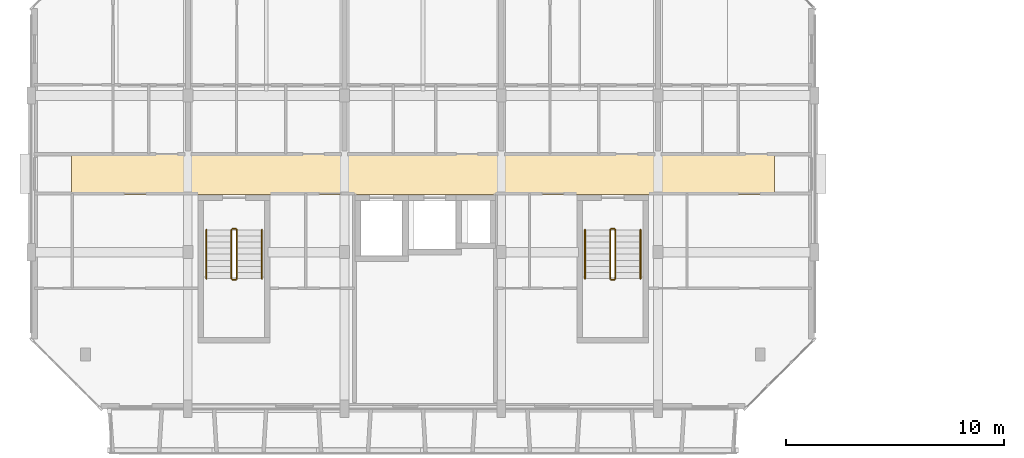
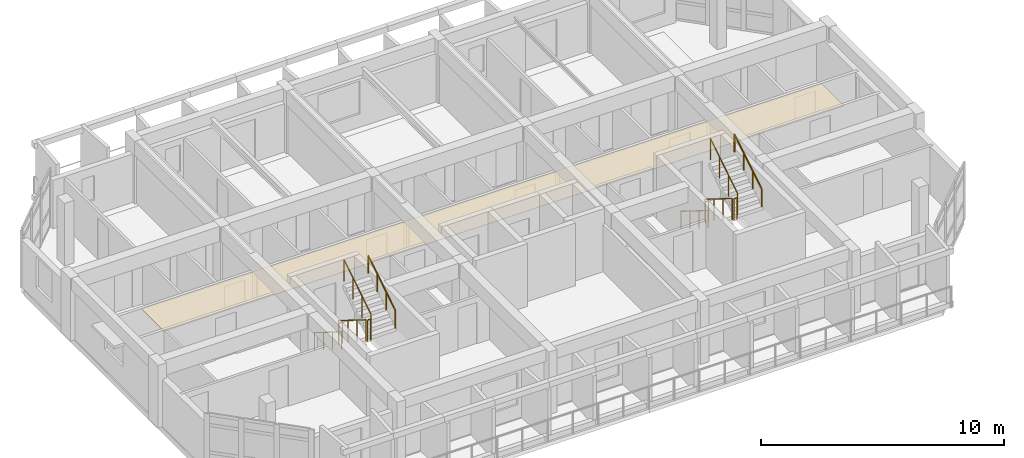
# One storey, part 39 of 45: 12 railings, 1 covering.
"""IFC4 building model written with IfcOpenShell, lengths in metres."""

from ifc_helpers import new_model, si_unit, direction, frame, origin, origin_2d, place, context, subcontext, project, spatial, polyline, circle, outline, extrude, material, layer, layer_set, type_object, element, save


model = new_model("IFC4")

# Units and contexts
model_context = context("Model", 3, precision=1e-05, world=origin(), true_north=direction((0.0, 1.0)))
body_context = subcontext(model_context, "Body", "Model", "MODEL_VIEW")
ifc_project = project(units=[si_unit("LENGTHUNIT", "METRE"), si_unit("AREAUNIT", "SQUARE_METRE"), si_unit("VOLUMEUNIT", "CUBIC_METRE"), si_unit("PLANEANGLEUNIT", "RADIAN"), si_unit("MASSUNIT", "GRAM", prefix="KILO")], contexts=[model_context])

# Site, building, storey
site_placement = place(None, origin())
site = spatial("IfcSite", under=ifc_project, at=site_placement, CompositionType="ELEMENT")
building_placement = place(site_placement, origin())
building = spatial("IfcBuilding", under=site, at=building_placement, Name="Ochrevale Crest", CompositionType="ELEMENT")
storey_placement = place(building_placement, frame((0.0, 0.0, 18.14990234375)))
storey = spatial("IfcBuildingStorey", under=building, at=storey_placement, Name="L05", CompositionType="ELEMENT", Elevation=18.14990234375)

# Covering
ifc_material_1 = material(Name="Gypsum plasterboard", Category="gypsum")
ifc_layer = layer(ifc_material_1, 0.02490234375)
ifc_layer_set = layer_set([ifc_layer], Name="Gypsum plasterboard")
covering_type = type_object("IfcCoveringType", Name="COV-CEIL-GYP", PredefinedType="CEILING", material=ifc_layer_set)
covering_placement = place(storey_placement, frame((0.0, 0.0, 2.280029296875)))
element("IfcCovering", 1, at=covering_placement, inside=storey, type_object=covering_type, Name="Block B L05 acoustic corridor ceiling", PredefinedType="CEILING", context=body_context, shape_type="SweptSolid", body=[
    extrude(outline(polyline([(1.85009765625, 81.860107421875), (34.14990234375, 81.860107421875), (34.14990234375, 83.739990234375), (1.85009765625, 83.739990234375), (1.85009765625, 81.860107421875)])), origin(), (0.0, 0.0, 1.0), 0.025146484375),
])

# Railings
ifc_material_2 = material(Name="Galvanised steel", Category="steel")
railing_type_1 = type_object("IfcRailingType", Name="RL-ST-GUARD", PredefinedType="BALUSTRADE", material=ifc_material_2)
railing_1_placement = place(storey_placement, frame((9.199951171875, 80.22509765625, 0.175048828125)))
element("IfcRailing", 2, at=railing_1_placement, inside=storey, type_object=railing_type_1, Name="L05 ST-B1 stair guard 1", PredefinedType="BALUSTRADE", context=body_context, shape_type="SweptSolid", body=[
    extrude(circle(Radius=0.02392578125, at=origin_2d()), frame((0.0, 0.0, 1.076171875), z_axis=(0.0, -0.847972341737, 0.530040477369), x_axis=(1.0, 0.0, 0.0)), (0.0, 0.0, 1.0), 2.6416015625),
    extrude(circle(Radius=0.02099609375, at=origin_2d()), origin(), (0.0, 0.0, 1.0), 1.052001953125),
    extrude(circle(Radius=0.02099609375, at=origin_2d()), frame((0.0, -0.74658203125, 0.466796875)), (0.0, 0.0, 1.0), 1.052001953125),
    extrude(circle(Radius=0.02099609375, at=origin_2d()), frame((0.0, -1.493408203125, 0.933349609375)), (0.0, 0.0, 1.0), 1.052001953125),
    extrude(circle(Radius=0.02099609375, at=origin_2d()), frame((0.0, -2.239990234375, 1.400146484375)), (0.0, 0.0, 1.0), 1.052001953125),
])
railing_2_placement = place(storey_placement, frame((9.25, 77.93505859375, 1.5751953125)))
element("IfcRailing", 3, at=railing_2_placement, inside=storey, type_object=railing_type_1, Name="L05 ST-B1 stair guard 2", PredefinedType="BALUSTRADE", context=body_context, shape_type="SweptSolid", body=[
    extrude(circle(Radius=0.02392578125, at=origin_2d()), frame((0.0, 0.0, 1.076171875), z_axis=(1.0, 0.0, 0.0), x_axis=(0.0, 1.0, 0.0)), (0.0, 0.0, 1.0), 0.14990234375),
    extrude(circle(Radius=0.02099609375, at=origin_2d()), origin(), (0.0, 0.0, 1.0), 1.052001953125),
    extrude(circle(Radius=0.02099609375, at=origin_2d()), frame((0.14990234375, 0.0, 0.0)), (0.0, 0.0, 1.0), 1.052001953125),
])
railing_3_placement = place(storey_placement, frame((9.449951171875, 77.985107421875, 1.75)))
element("IfcRailing", 4, at=railing_3_placement, inside=storey, type_object=railing_type_1, Name="L05 ST-B1 stair guard 3", PredefinedType="BALUSTRADE", context=body_context, shape_type="SweptSolid", body=[
    extrude(circle(Radius=0.02392578125, at=origin_2d()), frame((0.0, 0.0, 1.076171875), z_axis=(0.0, 0.847972341737, 0.530040477369), x_axis=(-1.0, 0.0, 0.0)), (0.0, 0.0, 1.0), 2.6416015625),
    extrude(circle(Radius=0.02099609375, at=origin_2d()), origin(), (0.0, 0.0, 1.0), 1.052001953125),
    extrude(circle(Radius=0.02099609375, at=origin_2d()), frame((0.0, 0.74658203125, 0.466796875)), (0.0, 0.0, 1.0), 1.052001953125),
    extrude(circle(Radius=0.02099609375, at=origin_2d()), frame((0.0, 1.493408203125, 0.933349609375)), (0.0, 0.0, 1.0), 1.052001953125),
    extrude(circle(Radius=0.02099609375, at=origin_2d()), frame((0.0, 2.239990234375, 1.400146484375)), (0.0, 0.0, 1.0), 1.052001953125),
])
railing_4_placement = place(storey_placement, frame((9.25, 80.27490234375, 0.0)))
element("IfcRailing", 5, at=railing_4_placement, inside=storey, type_object=railing_type_1, Name="L05 ST-B1 stair guard 4", PredefinedType="BALUSTRADE", context=body_context, shape_type="SweptSolid", body=[
    extrude(circle(Radius=0.02392578125, at=origin_2d()), frame((0.0, 0.0, 1.076171875), z_axis=(1.0, 0.0, 0.0), x_axis=(0.0, 1.0, 0.0)), (0.0, 0.0, 1.0), 0.14990234375),
    extrude(circle(Radius=0.02099609375, at=origin_2d()), origin(), (0.0, 0.0, 1.0), 1.052001953125),
    extrude(circle(Radius=0.02099609375, at=origin_2d()), frame((0.14990234375, 0.0, 0.0)), (0.0, 0.0, 1.0), 1.052001953125),
])
railing_5_placement = place(storey_placement, frame((26.60009765625, 80.22509765625, 0.175048828125)))
element("IfcRailing", 6, at=railing_5_placement, inside=storey, type_object=railing_type_1, Name="L05 ST-B2 stair guard 1", PredefinedType="BALUSTRADE", context=body_context, shape_type="SweptSolid", body=[
    extrude(circle(Radius=0.02392578125, at=origin_2d()), frame((0.0, 0.0, 1.076171875), z_axis=(0.0, -0.847972341737, 0.530040477369), x_axis=(1.0, 0.0, 0.0)), (0.0, 0.0, 1.0), 2.6416015625),
    extrude(circle(Radius=0.02099609375, at=origin_2d()), origin(), (0.0, 0.0, 1.0), 1.052001953125),
    extrude(circle(Radius=0.02099609375, at=origin_2d()), frame((0.0, -0.74658203125, 0.466796875)), (0.0, 0.0, 1.0), 1.052001953125),
    extrude(circle(Radius=0.02099609375, at=origin_2d()), frame((0.0, -1.493408203125, 0.933349609375)), (0.0, 0.0, 1.0), 1.052001953125),
    extrude(circle(Radius=0.02099609375, at=origin_2d()), frame((0.0, -2.239990234375, 1.400146484375)), (0.0, 0.0, 1.0), 1.052001953125),
])
railing_6_placement = place(storey_placement, frame((26.64990234375, 77.93505859375, 1.5751953125)))
element("IfcRailing", 7, at=railing_6_placement, inside=storey, type_object=railing_type_1, Name="L05 ST-B2 stair guard 2", PredefinedType="BALUSTRADE", context=body_context, shape_type="SweptSolid", body=[
    extrude(circle(Radius=0.02392578125, at=origin_2d()), frame((0.0, 0.0, 1.076171875), z_axis=(1.0, 0.0, 0.0), x_axis=(0.0, 1.0, 0.0)), (0.0, 0.0, 1.0), 0.150146484375),
    extrude(circle(Radius=0.02099609375, at=origin_2d()), origin(), (0.0, 0.0, 1.0), 1.052001953125),
    extrude(circle(Radius=0.02099609375, at=origin_2d()), frame((0.150146484375, 0.0, 0.0)), (0.0, 0.0, 1.0), 1.052001953125),
])
railing_7_placement = place(storey_placement, frame((26.85009765625, 77.985107421875, 1.75)))
element("IfcRailing", 8, at=railing_7_placement, inside=storey, type_object=railing_type_1, Name="L05 ST-B2 stair guard 3", PredefinedType="BALUSTRADE", context=body_context, shape_type="SweptSolid", body=[
    extrude(circle(Radius=0.02392578125, at=origin_2d()), frame((0.0, 0.0, 1.076171875), z_axis=(0.0, 0.847972341737, 0.530040477369), x_axis=(-1.0, 0.0, 0.0)), (0.0, 0.0, 1.0), 2.6416015625),
    extrude(circle(Radius=0.02099609375, at=origin_2d()), origin(), (0.0, 0.0, 1.0), 1.052001953125),
    extrude(circle(Radius=0.02099609375, at=origin_2d()), frame((0.0, 0.74658203125, 0.466796875)), (0.0, 0.0, 1.0), 1.052001953125),
    extrude(circle(Radius=0.02099609375, at=origin_2d()), frame((0.0, 1.493408203125, 0.933349609375)), (0.0, 0.0, 1.0), 1.052001953125),
    extrude(circle(Radius=0.02099609375, at=origin_2d()), frame((0.0, 2.239990234375, 1.400146484375)), (0.0, 0.0, 1.0), 1.052001953125),
])
railing_8_placement = place(storey_placement, frame((26.64990234375, 80.27490234375, 0.0)))
element("IfcRailing", 9, at=railing_8_placement, inside=storey, type_object=railing_type_1, Name="L05 ST-B2 stair guard 4", PredefinedType="BALUSTRADE", context=body_context, shape_type="SweptSolid", body=[
    extrude(circle(Radius=0.02392578125, at=origin_2d()), frame((0.0, 0.0, 1.076171875), z_axis=(1.0, 0.0, 0.0), x_axis=(0.0, 1.0, 0.0)), (0.0, 0.0, 1.0), 0.150146484375),
    extrude(circle(Radius=0.02099609375, at=origin_2d()), origin(), (0.0, 0.0, 1.0), 1.052001953125),
    extrude(circle(Radius=0.02099609375, at=origin_2d()), frame((0.150146484375, 0.0, 0.0)), (0.0, 0.0, 1.0), 1.052001953125),
])
ifc_material_3 = material(Name="Stainless steel", Category="steel")
railing_type_2 = type_object("IfcRailingType", Name="RL-ST-HRAIL", PredefinedType="HANDRAIL", material=ifc_material_3)
railing_9_placement = place(storey_placement, frame((8.050048828125, 80.22509765625, 0.175048828125)))
element("IfcRailing", 10, at=railing_9_placement, inside=storey, type_object=railing_type_2, Name="L05 ST-B1 stair handrail 1", PredefinedType="HANDRAIL", context=body_context, shape_type="SweptSolid", body=[
    extrude(circle(Radius=0.02392578125, at=origin_2d()), frame((0.0, 0.0, 0.8759765625), z_axis=(0.0, -0.847972341737, 0.530040477369), x_axis=(1.0, 0.0, 0.0)), (0.0, 0.0, 1.0), 2.6416015625),
    extrude(circle(Radius=0.02099609375, at=origin_2d()), origin(), (0.0, 0.0, 1.0), 0.851806640625),
    extrude(circle(Radius=0.02099609375, at=origin_2d()), frame((0.0, -0.74658203125, 0.466796875)), (0.0, 0.0, 1.0), 0.851806640625),
    extrude(circle(Radius=0.02099609375, at=origin_2d()), frame((0.0, -1.493408203125, 0.933349609375)), (0.0, 0.0, 1.0), 0.851806640625),
    extrude(circle(Radius=0.02099609375, at=origin_2d()), frame((0.0, -2.239990234375, 1.400146484375)), (0.0, 0.0, 1.0), 0.851806640625),
])
railing_10_placement = place(storey_placement, frame((10.60009765625, 77.985107421875, 1.75)))
element("IfcRailing", 11, at=railing_10_placement, inside=storey, type_object=railing_type_2, Name="L05 ST-B1 stair handrail 2", PredefinedType="HANDRAIL", context=body_context, shape_type="SweptSolid", body=[
    extrude(circle(Radius=0.02392578125, at=origin_2d()), frame((0.0, 0.0, 0.8759765625), z_axis=(0.0, 0.847972341737, 0.530040477369), x_axis=(-1.0, 0.0, 0.0)), (0.0, 0.0, 1.0), 2.6416015625),
    extrude(circle(Radius=0.02099609375, at=origin_2d()), origin(), (0.0, 0.0, 1.0), 0.851806640625),
    extrude(circle(Radius=0.02099609375, at=origin_2d()), frame((0.0, 0.74658203125, 0.466796875)), (0.0, 0.0, 1.0), 0.851806640625),
    extrude(circle(Radius=0.02099609375, at=origin_2d()), frame((0.0, 1.493408203125, 0.933349609375)), (0.0, 0.0, 1.0), 0.851806640625),
    extrude(circle(Radius=0.02099609375, at=origin_2d()), frame((0.0, 2.239990234375, 1.400146484375)), (0.0, 0.0, 1.0), 0.851806640625),
])
railing_11_placement = place(storey_placement, frame((25.449951171875, 80.22509765625, 0.175048828125)))
element("IfcRailing", 12, at=railing_11_placement, inside=storey, type_object=railing_type_2, Name="L05 ST-B2 stair handrail 1", PredefinedType="HANDRAIL", context=body_context, shape_type="SweptSolid", body=[
    extrude(circle(Radius=0.02392578125, at=origin_2d()), frame((0.0, 0.0, 0.8759765625), z_axis=(0.0, -0.847972341737, 0.530040477369), x_axis=(1.0, 0.0, 0.0)), (0.0, 0.0, 1.0), 2.6416015625),
    extrude(circle(Radius=0.02099609375, at=origin_2d()), origin(), (0.0, 0.0, 1.0), 0.851806640625),
    extrude(circle(Radius=0.02099609375, at=origin_2d()), frame((0.0, -0.74658203125, 0.466796875)), (0.0, 0.0, 1.0), 0.851806640625),
    extrude(circle(Radius=0.02099609375, at=origin_2d()), frame((0.0, -1.493408203125, 0.933349609375)), (0.0, 0.0, 1.0), 0.851806640625),
    extrude(circle(Radius=0.02099609375, at=origin_2d()), frame((0.0, -2.239990234375, 1.400146484375)), (0.0, 0.0, 1.0), 0.851806640625),
])
railing_12_placement = place(storey_placement, frame((28.0, 77.985107421875, 1.75)))
element("IfcRailing", 13, at=railing_12_placement, inside=storey, type_object=railing_type_2, Name="L05 ST-B2 stair handrail 2", PredefinedType="HANDRAIL", context=body_context, shape_type="SweptSolid", body=[
    extrude(circle(Radius=0.02392578125, at=origin_2d()), frame((0.0, 0.0, 0.8759765625), z_axis=(0.0, 0.847972341737, 0.530040477369), x_axis=(-1.0, 0.0, 0.0)), (0.0, 0.0, 1.0), 2.6416015625),
    extrude(circle(Radius=0.02099609375, at=origin_2d()), origin(), (0.0, 0.0, 1.0), 0.851806640625),
    extrude(circle(Radius=0.02099609375, at=origin_2d()), frame((0.0, 0.74658203125, 0.466796875)), (0.0, 0.0, 1.0), 0.851806640625),
    extrude(circle(Radius=0.02099609375, at=origin_2d()), frame((0.0, 1.493408203125, 0.933349609375)), (0.0, 0.0, 1.0), 0.851806640625),
    extrude(circle(Radius=0.02099609375, at=origin_2d()), frame((0.0, 2.239990234375, 1.400146484375)), (0.0, 0.0, 1.0), 0.851806640625),
])

save(model, "model.ifc")
